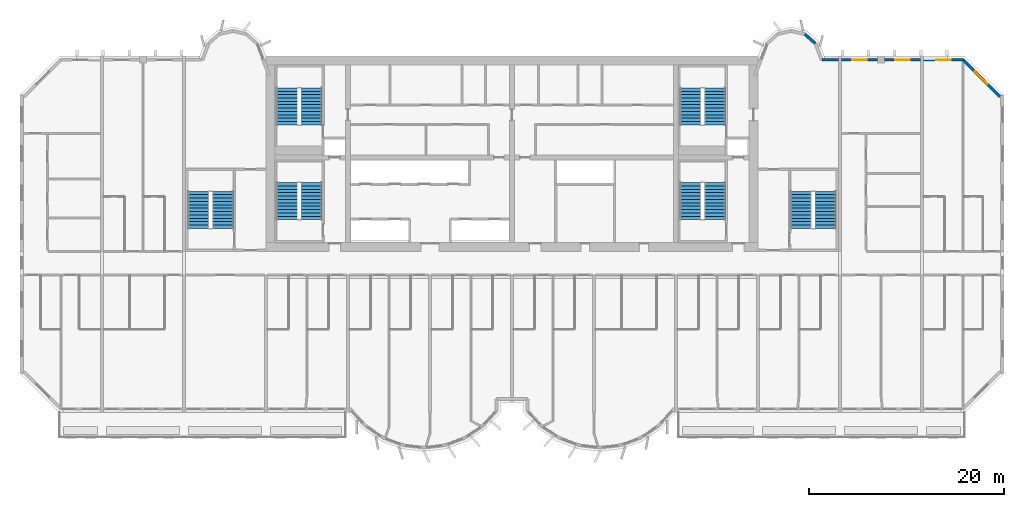
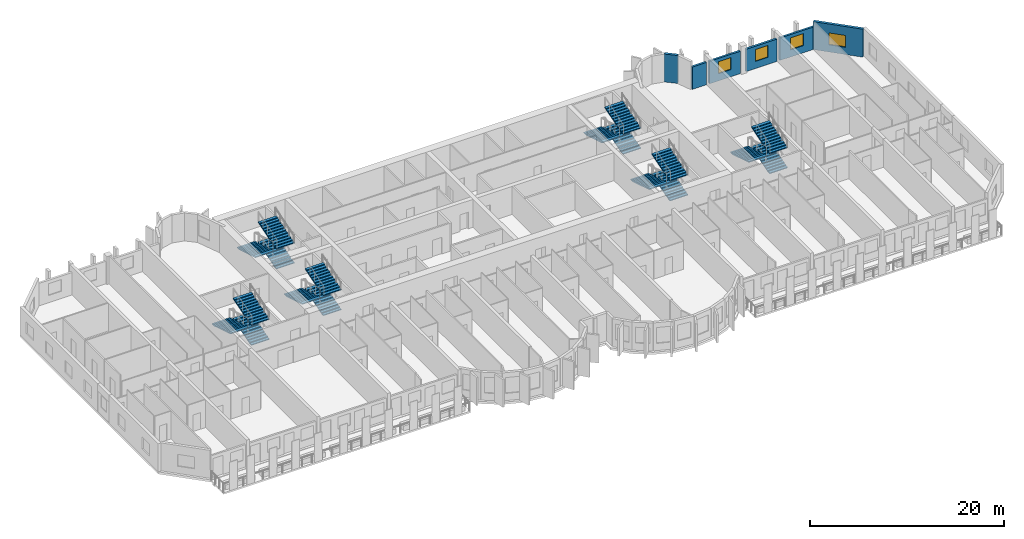
# One storey, part 11 of 14: 18 stair flights, 6 walls, 4 windows, 4 openings, 6 elements without a shape of their own.
"""IFC4 building model written with IfcOpenShell, lengths in metres."""

from ifc_helpers import new_model, si_unit, direction, frame, frame_2d, origin, place, context, subcontext, project, spatial, polyline, rectangle, outline, extrude, source, transform, mapped, material, layer, layer_set, type_object, element, fill, aggregate, save


model = new_model("IFC4")

# Units and contexts
model_context = context("Model", 3, precision=1e-05, world=origin(), true_north=direction((0.0, 1.0)))
body_context = subcontext(model_context, "Body", "Model", "MODEL_VIEW")
ifc_project = project(units=[si_unit("LENGTHUNIT", "METRE"), si_unit("AREAUNIT", "SQUARE_METRE"), si_unit("VOLUMEUNIT", "CUBIC_METRE"), si_unit("PLANEANGLEUNIT", "RADIAN"), si_unit("MASSUNIT", "GRAM", prefix="KILO")], contexts=[model_context])

# Site, building, storey
site_placement = place(None, origin())
site = spatial("IfcSite", under=ifc_project, at=site_placement, CompositionType="ELEMENT")
building_placement = place(site_placement, origin())
building = spatial("IfcBuilding", under=site, at=building_placement, Name="Vanashikhar Sky Hotel", CompositionType="ELEMENT")
storey_placement = place(building_placement, frame((0.0, 0.0, 99.0)))
storey = spatial("IfcBuildingStorey", under=building, at=storey_placement, Name="L23", CompositionType="ELEMENT", Elevation=99.0)

# Wall, opening, window
ifc_material_1 = material(Name="Concrete M50", Category="concrete")
ifc_layer_1 = layer(ifc_material_1, 0.300048828125)
ifc_layer_set_1 = layer_set([ifc_layer_1], Name="Lobe wall 300")
wall_type_1 = type_object("IfcWallType", Name="Lobe wall 300", PredefinedType="SOLIDWALL", material=ifc_layer_set_1)
shared_shape_1 = source(origin(), body_context, "Body", "SweptSolid", [
    extrude(rectangle(XDim=5.32568359375, YDim=0.300048828125, at=frame_2d((2.662841796875, 0.0))), origin(), (0.0, 0.0, 1.0), 3.52001953125),
])
wall_1_placement = place(storey_placement, frame((100.39990234375, 37.834228515625, 0.0), z_axis=(0.0, 0.0, 1.0), x_axis=(-0.707083859269, 0.707129702361, 0.0)))
wall_1 = element("IfcWall", 1, at=wall_1_placement, inside=storey, type_object=wall_type_1, Name="Corner wall", PredefinedType="SOLIDWALL", context=body_context, shape_type="MappedRepresentation", body=[
    mapped(shared_shape_1, transform((0.0, 0.0, 0.0), scale=1.0)),
])
shared_shape_2 = source(origin(), body_context, "Body", "SweptSolid", [
    extrude(rectangle(XDim=1.800048828125, YDim=1.5, at=frame_2d((0.89990234375, 0.75))), frame((0.0, 0.16015625, 0.0), z_axis=(0.0, -1.0, 0.0), x_axis=(1.0, 0.0, 0.0)), (0.0, 0.0, 1.0), 0.320068359375),
])
opening_1_placement = place(wall_1_placement, frame((1.853759765625, 0.0, 0.89990234375)))
opening_1 = element("IfcOpeningElement", 2, at=opening_1_placement, cuts=wall_1, Name="Opening WN-4", PredefinedType="OPENING", context=body_context, shape_type="MappedRepresentation", body=[
    mapped(shared_shape_2, transform((0.0, 0.0, 0.0), scale=1.0)),
])
ifc_material_2 = material(Name="Glass", Category="glass")
window_type_1 = type_object("IfcWindowType", Name="Corner window 1800 x 1500", PartitioningType="SINGLE_PANEL", PredefinedType="WINDOW", material=ifc_material_2)
shared_shape_3 = source(origin(), body_context, "Body", "SweptSolid", [
    extrude(rectangle(XDim=1.800048828125, YDim=1.5, at=frame_2d((0.89990234375, 0.75))), frame((0.0, 0.030029296875, 0.0), z_axis=(0.0, -1.0, 0.0), x_axis=(1.0, 0.0, 0.0)), (0.0, 0.0, 1.0), 0.06005859375),
])
window_1_placement = place(opening_1_placement, origin())
window_1 = element("IfcWindow", 3, at=window_1_placement, inside=storey, type_object=window_type_1, Name="Window WN-4", OverallHeight=1.5, OverallWidth=1.800048828125, PartitioningType="SINGLE_PANEL", PredefinedType="WINDOW", context=body_context, shape_type="MappedRepresentation", body=[
    mapped(shared_shape_3, transform((0.0, 0.0, 0.0), scale=1.0)),
])
fill(opening_1, window_1)

# Wall
shared_shape_4 = source(origin(), body_context, "Body", "SweptSolid", [
    extrude(rectangle(XDim=1.43994140625, YDim=0.300048828125, at=frame_2d((0.719970703125, 0.0))), origin(), (0.0, 0.0, 1.0), 3.52001953125),
])
wall_2_placement = place(storey_placement, frame((81.4765625, 43.2919921875, 0.0), z_axis=(0.0, 0.0, 1.0), x_axis=(-0.74957555648, 0.661918790432, 0.0)))
element("IfcWall", 4, at=wall_2_placement, inside=storey, type_object=wall_type_1, Name="Lobe wall", PredefinedType="SOLIDWALL", context=body_context, shape_type="MappedRepresentation", body=[
    mapped(shared_shape_4, transform((0.0, 0.0, 0.0), scale=1.0)),
])

# Wall, opening, window
ifc_layer_2 = layer(ifc_material_1, 0.25)
ifc_layer_set_2 = layer_set([ifc_layer_2], Name="Rear and end board-marked wall 250")
wall_type_2 = type_object("IfcWallType", Name="Rear and end board-marked wall 250", PredefinedType="SOLIDWALL", material=ifc_layer_set_2)
shared_shape_5 = source(origin(), body_context, "Body", "SweptSolid", [
    extrude(rectangle(XDim=4.06982421875, YDim=0.25, at=frame_2d((2.034912109375, 0.0))), origin(), (0.0, 0.0, 1.0), 2.820068359375),
])
wall_3_placement = place(storey_placement, frame((96.644775390625, 41.625, 0.0), z_axis=(0.0, 0.0, 1.0), x_axis=(-1.0, 0.0, 0.0)))
wall_3 = element("IfcWall", 5, at=wall_3_placement, inside=storey, type_object=wall_type_2, Name="Rear board-marked wall", PredefinedType="SOLIDWALL", context=body_context, shape_type="MappedRepresentation", body=[
    mapped(shared_shape_5, transform((0.0, 0.0, 0.0), scale=1.0)),
])
shared_shape_6 = source(origin(), body_context, "Body", "SweptSolid", [
    extrude(rectangle(XDim=1.5, YDim=1.5, at=frame_2d((0.75, 0.75))), frame((0.0, 0.135009765625, 0.0), z_axis=(0.0, -1.0, 0.0), x_axis=(1.0, 0.0, 0.0)), (0.0, 0.0, 1.0), 0.27001953125),
])
opening_2_placement = place(wall_3_placement, frame((1.284912109375, 0.0, 0.89990234375)))
opening_2 = element("IfcOpeningElement", 6, at=opening_2_placement, cuts=wall_3, Name="Opening WN-1", PredefinedType="OPENING", context=body_context, shape_type="MappedRepresentation", body=[
    mapped(shared_shape_6, transform((0.0, 0.0, 0.0), scale=1.0)),
])
window_type_2 = type_object("IfcWindowType", Name="Window 1500 x 1500", PartitioningType="SINGLE_PANEL", PredefinedType="WINDOW", material=ifc_material_2)
shared_shape_7 = source(origin(), body_context, "Body", "SweptSolid", [
    extrude(rectangle(XDim=1.5, YDim=1.5, at=frame_2d((0.75, 0.75))), frame((0.0, 0.030029296875, 0.0), z_axis=(0.0, -1.0, 0.0), x_axis=(1.0, 0.0, 0.0)), (0.0, 0.0, 1.0), 0.06005859375),
])
window_2_placement = place(opening_2_placement, origin())
window_2 = element("IfcWindow", 7, at=window_2_placement, inside=storey, type_object=window_type_2, Name="Window WN-1", OverallHeight=1.5, OverallWidth=1.5, PartitioningType="SINGLE_PANEL", PredefinedType="WINDOW", context=body_context, shape_type="MappedRepresentation", body=[
    mapped(shared_shape_7, transform((0.0, 0.0, 0.0), scale=1.0)),
])
fill(opening_2, window_2)

shared_shape_8 = source(origin(), body_context, "Body", "SweptSolid", [
    extrude(rectangle(XDim=3.675048828125, YDim=0.25, at=frame_2d((1.83740234375, 0.0))), origin(), (0.0, 0.0, 1.0), 2.820068359375),
])
wall_4_placement = place(storey_placement, frame((87.85009765625, 41.625, 0.0), z_axis=(0.0, 0.0, 1.0), x_axis=(-1.0, 0.0, 0.0)))
wall_4 = element("IfcWall", 8, at=wall_4_placement, inside=storey, type_object=wall_type_2, Name="Rear board-marked wall", PredefinedType="SOLIDWALL", context=body_context, shape_type="MappedRepresentation", body=[
    mapped(shared_shape_8, transform((0.0, 0.0, 0.0), scale=1.0)),
])
opening_3_placement = place(wall_4_placement, frame((1.08740234375, 0.0, 0.89990234375)))
opening_3 = element("IfcOpeningElement", 9, at=opening_3_placement, cuts=wall_4, Name="Opening WN-1", PredefinedType="OPENING", context=body_context, shape_type="MappedRepresentation", body=[
    mapped(shared_shape_6, transform((0.0, 0.0, 0.0), scale=1.0)),
])
window_3_placement = place(opening_3_placement, origin())
window_3 = element("IfcWindow", 10, at=window_3_placement, inside=storey, type_object=window_type_2, Name="Window WN-1", OverallHeight=1.5, OverallWidth=1.5, PartitioningType="SINGLE_PANEL", PredefinedType="WINDOW", context=body_context, shape_type="MappedRepresentation", body=[
    mapped(shared_shape_7, transform((0.0, 0.0, 0.0), scale=1.0)),
])
fill(opening_3, window_3)

wall_5_placement = place(storey_placement, frame((92.22509765625, 41.625, 0.0), z_axis=(0.0, 0.0, 1.0), x_axis=(-1.0, 0.0, 0.0)))
wall_5 = element("IfcWall", 11, at=wall_5_placement, inside=storey, type_object=wall_type_2, Name="Rear board-marked wall", PredefinedType="SOLIDWALL", context=body_context, shape_type="MappedRepresentation", body=[
    mapped(shared_shape_8, transform((0.0, 0.0, 0.0), scale=1.0)),
])
opening_4_placement = place(wall_5_placement, frame((1.08740234375, 0.0, 0.89990234375)))
opening_4 = element("IfcOpeningElement", 12, at=opening_4_placement, cuts=wall_5, Name="Opening WN-1", PredefinedType="OPENING", context=body_context, shape_type="MappedRepresentation", body=[
    mapped(shared_shape_6, transform((0.0, 0.0, 0.0), scale=1.0)),
])
window_4_placement = place(opening_4_placement, origin())
window_4 = element("IfcWindow", 13, at=window_4_placement, inside=storey, type_object=window_type_2, Name="Window WN-1", OverallHeight=1.5, OverallWidth=1.5, PartitioningType="SINGLE_PANEL", PredefinedType="WINDOW", context=body_context, shape_type="MappedRepresentation", body=[
    mapped(shared_shape_7, transform((0.0, 0.0, 0.0), scale=1.0)),
])
fill(opening_4, window_4)

# Wall
shared_shape_9 = source(origin(), body_context, "Body", "SweptSolid", [
    extrude(rectangle(XDim=1.682861328125, YDim=0.25, at=frame_2d((0.84130859375, 0.0))), origin(), (0.0, 0.0, 1.0), 2.820068359375),
])
wall_6_placement = place(storey_placement, frame((83.824951171875, 41.625, 0.0), z_axis=(0.0, 0.0, 1.0), x_axis=(-1.0, 0.0, 0.0)))
element("IfcWall", 14, at=wall_6_placement, inside=storey, type_object=wall_type_2, Name="Rear board-marked wall", PredefinedType="SOLIDWALL", context=body_context, shape_type="MappedRepresentation", body=[
    mapped(shared_shape_9, transform((0.0, 0.0, 0.0), scale=1.0)),
])

# Stair, stair flights
ifc_material_3 = material(Name="Concrete M40", Category="concrete")
stair_type = type_object("IfcStairType", Name="Exit stair 2150", PredefinedType="DOUBLE_RETURN_STAIR", material=ifc_material_3)
stair_1_placement = place(storey_placement, origin())
stair_1 = element("IfcStair", 15, at=stair_1_placement, inside=storey, type_object=stair_type, Name="L23 Exit stair 1", PredefinedType="DOUBLE_RETURN_STAIR")
stair_flight_type = type_object("IfcStairFlightType", Name="Stair flight 2150", PredefinedType="STRAIGHT", material=ifc_material_3)
shared_shape_10 = source(origin(), body_context, "Body", "SweptSolid", [
    extrude(outline(polyline([(0.0, 0.0), (0.0, 0.10546875), (0.345458984375, 0.10546875), (0.345458984375, 0.211181640625), (0.69091796875, 0.211181640625), (0.69091796875, 0.316650390625), (1.036376953125, 0.316650390625), (1.036376953125, 0.422119140625), (1.3818359375, 0.422119140625), (1.3818359375, 0.52783203125), (1.727294921875, 0.52783203125), (1.727294921875, 0.63330078125), (2.07275390625, 0.63330078125), (2.07275390625, 0.73876953125), (2.418212890625, 0.73876953125), (2.418212890625, 0.844482421875), (2.763671875, 0.844482421875), (2.763671875, 0.949951171875), (3.109130859375, 0.949951171875), (3.109130859375, 1.0556640625), (3.45458984375, 1.0556640625), (3.45458984375, 1.1611328125), (3.800048828125, 1.1611328125), (3.800048828125, 1.2666015625), (3.800048828125, 1.035400390625), (0.4111328125, 0.0), (0.0, 0.0)])), frame((0.0, 1.074951171875, 0.0), z_axis=(0.0, -1.0, 0.0), x_axis=(1.0, 0.0, 0.0)), (0.0, 0.0, 1.0), 2.14990234375),
])
stair_flight_1_placement = place(storey_placement, frame((29.875, 25.25, 0.0), z_axis=(0.0, 0.0, 1.0), x_axis=(0.0, 1.0, 0.0)))
stair_flight_1 = element("IfcStairFlight", 16, at=stair_flight_1_placement, type_object=stair_flight_type, Name="ST-C1 flight 1", NumberOfRisers=12, NumberOfTreads=11, PredefinedType="STRAIGHT", RiserHeight=0.105555556, TreadLength=0.345454545, context=body_context, shape_type="MappedRepresentation", body=[
    mapped(shared_shape_10, transform((0.0, 0.0, 0.0), scale=1.0)),
])
stair_flight_2_placement = place(storey_placement, frame((27.375, 29.050048828125, 1.2666015625), z_axis=(0.0, 0.0, 1.0), x_axis=(0.0, -1.0, 0.0)))
stair_flight_2 = element("IfcStairFlight", 17, at=stair_flight_2_placement, type_object=stair_flight_type, Name="ST-C1 flight 2", NumberOfRisers=12, NumberOfTreads=11, PredefinedType="STRAIGHT", RiserHeight=0.105555556, TreadLength=0.345454545, context=body_context, shape_type="MappedRepresentation", body=[
    mapped(shared_shape_10, transform((0.0, 0.0, 0.0), scale=1.0)),
])
stair_flight_3_placement = place(storey_placement, frame((29.875, 25.25, 2.533447265625), z_axis=(0.0, 0.0, 1.0), x_axis=(0.0, 1.0, 0.0)))
stair_flight_3 = element("IfcStairFlight", 18, at=stair_flight_3_placement, type_object=stair_flight_type, Name="ST-C1 flight 3", NumberOfRisers=12, NumberOfTreads=11, PredefinedType="STRAIGHT", RiserHeight=0.105555556, TreadLength=0.345454545, context=body_context, shape_type="MappedRepresentation", body=[
    mapped(shared_shape_10, transform((0.0, 0.0, 0.0), scale=1.0)),
])
aggregate(stair_1, [stair_flight_1, stair_flight_2, stair_flight_3])

stair_2_placement = place(storey_placement, origin())
stair_2 = element("IfcStair", 19, at=stair_2_placement, inside=storey, type_object=stair_type, Name="L23 Exit stair 2", PredefinedType="DOUBLE_RETURN_STAIR")
stair_flight_4_placement = place(storey_placement, frame((71.175048828125, 25.25, 0.0), z_axis=(0.0, 0.0, 1.0), x_axis=(0.0, 1.0, 0.0)))
stair_flight_4 = element("IfcStairFlight", 20, at=stair_flight_4_placement, type_object=stair_flight_type, Name="ST-C2 flight 1", NumberOfRisers=12, NumberOfTreads=11, PredefinedType="STRAIGHT", RiserHeight=0.105555556, TreadLength=0.345454545, context=body_context, shape_type="MappedRepresentation", body=[
    mapped(shared_shape_10, transform((0.0, 0.0, 0.0), scale=1.0)),
])
stair_flight_5_placement = place(storey_placement, frame((68.675048828125, 29.050048828125, 1.2666015625), z_axis=(0.0, 0.0, 1.0), x_axis=(0.0, -1.0, 0.0)))
stair_flight_5 = element("IfcStairFlight", 21, at=stair_flight_5_placement, type_object=stair_flight_type, Name="ST-C2 flight 2", NumberOfRisers=12, NumberOfTreads=11, PredefinedType="STRAIGHT", RiserHeight=0.105555556, TreadLength=0.345454545, context=body_context, shape_type="MappedRepresentation", body=[
    mapped(shared_shape_10, transform((0.0, 0.0, 0.0), scale=1.0)),
])
stair_flight_6_placement = place(storey_placement, frame((71.175048828125, 25.25, 2.533447265625), z_axis=(0.0, 0.0, 1.0), x_axis=(0.0, 1.0, 0.0)))
stair_flight_6 = element("IfcStairFlight", 22, at=stair_flight_6_placement, type_object=stair_flight_type, Name="ST-C2 flight 3", NumberOfRisers=12, NumberOfTreads=11, PredefinedType="STRAIGHT", RiserHeight=0.105555556, TreadLength=0.345454545, context=body_context, shape_type="MappedRepresentation", body=[
    mapped(shared_shape_10, transform((0.0, 0.0, 0.0), scale=1.0)),
])
aggregate(stair_2, [stair_flight_4, stair_flight_5, stair_flight_6])

stair_3_placement = place(storey_placement, origin())
stair_3 = element("IfcStair", 23, at=stair_3_placement, inside=storey, type_object=stair_type, Name="L23 Exit stair 3", PredefinedType="DOUBLE_RETURN_STAIR")
stair_flight_7_placement = place(storey_placement, frame((20.77490234375, 24.35009765625, 0.0), z_axis=(0.0, 0.0, 1.0), x_axis=(0.0, 1.0, 0.0)))
stair_flight_7 = element("IfcStairFlight", 24, at=stair_flight_7_placement, type_object=stair_flight_type, Name="ST-W flight 1", NumberOfRisers=12, NumberOfTreads=11, PredefinedType="STRAIGHT", RiserHeight=0.105555556, TreadLength=0.345454545, context=body_context, shape_type="MappedRepresentation", body=[
    mapped(shared_shape_10, transform((0.0, 0.0, 0.0), scale=1.0)),
])
stair_flight_8_placement = place(storey_placement, frame((18.27490234375, 28.14990234375, 1.2666015625), z_axis=(0.0, 0.0, 1.0), x_axis=(0.0, -1.0, 0.0)))
stair_flight_8 = element("IfcStairFlight", 25, at=stair_flight_8_placement, type_object=stair_flight_type, Name="ST-W flight 2", NumberOfRisers=12, NumberOfTreads=11, PredefinedType="STRAIGHT", RiserHeight=0.105555556, TreadLength=0.345454545, context=body_context, shape_type="MappedRepresentation", body=[
    mapped(shared_shape_10, transform((0.0, 0.0, 0.0), scale=1.0)),
])
stair_flight_9_placement = place(storey_placement, frame((20.77490234375, 24.35009765625, 2.533447265625), z_axis=(0.0, 0.0, 1.0), x_axis=(0.0, 1.0, 0.0)))
stair_flight_9 = element("IfcStairFlight", 26, at=stair_flight_9_placement, type_object=stair_flight_type, Name="ST-W flight 3", NumberOfRisers=12, NumberOfTreads=11, PredefinedType="STRAIGHT", RiserHeight=0.105555556, TreadLength=0.345454545, context=body_context, shape_type="MappedRepresentation", body=[
    mapped(shared_shape_10, transform((0.0, 0.0, 0.0), scale=1.0)),
])
aggregate(stair_3, [stair_flight_7, stair_flight_8, stair_flight_9])

stair_4_placement = place(storey_placement, origin())
stair_4 = element("IfcStair", 27, at=stair_4_placement, inside=storey, type_object=stair_type, Name="L23 Exit stair 4", PredefinedType="DOUBLE_RETURN_STAIR")
stair_flight_10_placement = place(storey_placement, frame((82.52490234375, 24.35009765625, 0.0), z_axis=(0.0, 0.0, 1.0), x_axis=(0.0, 1.0, 0.0)))
stair_flight_10 = element("IfcStairFlight", 28, at=stair_flight_10_placement, type_object=stair_flight_type, Name="ST-E flight 1", NumberOfRisers=12, NumberOfTreads=11, PredefinedType="STRAIGHT", RiserHeight=0.105555556, TreadLength=0.345454545, context=body_context, shape_type="MappedRepresentation", body=[
    mapped(shared_shape_10, transform((0.0, 0.0, 0.0), scale=1.0)),
])
stair_flight_11_placement = place(storey_placement, frame((80.02490234375, 28.14990234375, 1.2666015625), z_axis=(0.0, 0.0, 1.0), x_axis=(0.0, -1.0, 0.0)))
stair_flight_11 = element("IfcStairFlight", 29, at=stair_flight_11_placement, type_object=stair_flight_type, Name="ST-E flight 2", NumberOfRisers=12, NumberOfTreads=11, PredefinedType="STRAIGHT", RiserHeight=0.105555556, TreadLength=0.345454545, context=body_context, shape_type="MappedRepresentation", body=[
    mapped(shared_shape_10, transform((0.0, 0.0, 0.0), scale=1.0)),
])
stair_flight_12_placement = place(storey_placement, frame((82.52490234375, 24.35009765625, 2.533447265625), z_axis=(0.0, 0.0, 1.0), x_axis=(0.0, 1.0, 0.0)))
stair_flight_12 = element("IfcStairFlight", 30, at=stair_flight_12_placement, type_object=stair_flight_type, Name="ST-E flight 3", NumberOfRisers=12, NumberOfTreads=11, PredefinedType="STRAIGHT", RiserHeight=0.105555556, TreadLength=0.345454545, context=body_context, shape_type="MappedRepresentation", body=[
    mapped(shared_shape_10, transform((0.0, 0.0, 0.0), scale=1.0)),
])
aggregate(stair_4, [stair_flight_10, stair_flight_11, stair_flight_12])

stair_5_placement = place(storey_placement, origin())
stair_5 = element("IfcStair", 31, at=stair_5_placement, inside=storey, type_object=stair_type, Name="L23 Exit stair 5", PredefinedType="DOUBLE_RETURN_STAIR")
stair_flight_13_placement = place(storey_placement, frame((29.875, 34.949951171875, 0.0), z_axis=(0.0, 0.0, 1.0), x_axis=(0.0, 1.0, 0.0)))
stair_flight_13 = element("IfcStairFlight", 32, at=stair_flight_13_placement, type_object=stair_flight_type, Name="ST-C3 flight 1", NumberOfRisers=12, NumberOfTreads=11, PredefinedType="STRAIGHT", RiserHeight=0.105555556, TreadLength=0.345454545, context=body_context, shape_type="MappedRepresentation", body=[
    mapped(shared_shape_10, transform((0.0, 0.0, 0.0), scale=1.0)),
])
stair_flight_14_placement = place(storey_placement, frame((27.375, 38.75, 1.2666015625), z_axis=(0.0, 0.0, 1.0), x_axis=(0.0, -1.0, 0.0)))
stair_flight_14 = element("IfcStairFlight", 33, at=stair_flight_14_placement, type_object=stair_flight_type, Name="ST-C3 flight 2", NumberOfRisers=12, NumberOfTreads=11, PredefinedType="STRAIGHT", RiserHeight=0.105555556, TreadLength=0.345454545, context=body_context, shape_type="MappedRepresentation", body=[
    mapped(shared_shape_10, transform((0.0, 0.0, 0.0), scale=1.0)),
])
stair_flight_15_placement = place(storey_placement, frame((29.875, 34.949951171875, 2.533447265625), z_axis=(0.0, 0.0, 1.0), x_axis=(0.0, 1.0, 0.0)))
stair_flight_15 = element("IfcStairFlight", 34, at=stair_flight_15_placement, type_object=stair_flight_type, Name="ST-C3 flight 3", NumberOfRisers=12, NumberOfTreads=11, PredefinedType="STRAIGHT", RiserHeight=0.105555556, TreadLength=0.345454545, context=body_context, shape_type="MappedRepresentation", body=[
    mapped(shared_shape_10, transform((0.0, 0.0, 0.0), scale=1.0)),
])
aggregate(stair_5, [stair_flight_13, stair_flight_14, stair_flight_15])

stair_6_placement = place(storey_placement, origin())
stair_6 = element("IfcStair", 35, at=stair_6_placement, inside=storey, type_object=stair_type, Name="L23 Exit stair 6", PredefinedType="DOUBLE_RETURN_STAIR")
stair_flight_16_placement = place(storey_placement, frame((71.175048828125, 34.949951171875, 0.0), z_axis=(0.0, 0.0, 1.0), x_axis=(0.0, 1.0, 0.0)))
stair_flight_16 = element("IfcStairFlight", 36, at=stair_flight_16_placement, type_object=stair_flight_type, Name="ST-C4 flight 1", NumberOfRisers=12, NumberOfTreads=11, PredefinedType="STRAIGHT", RiserHeight=0.105555556, TreadLength=0.345454545, context=body_context, shape_type="MappedRepresentation", body=[
    mapped(shared_shape_10, transform((0.0, 0.0, 0.0), scale=1.0)),
])
stair_flight_17_placement = place(storey_placement, frame((68.675048828125, 38.75, 1.2666015625), z_axis=(0.0, 0.0, 1.0), x_axis=(0.0, -1.0, 0.0)))
stair_flight_17 = element("IfcStairFlight", 37, at=stair_flight_17_placement, type_object=stair_flight_type, Name="ST-C4 flight 2", NumberOfRisers=12, NumberOfTreads=11, PredefinedType="STRAIGHT", RiserHeight=0.105555556, TreadLength=0.345454545, context=body_context, shape_type="MappedRepresentation", body=[
    mapped(shared_shape_10, transform((0.0, 0.0, 0.0), scale=1.0)),
])
stair_flight_18_placement = place(storey_placement, frame((71.175048828125, 34.949951171875, 2.533447265625), z_axis=(0.0, 0.0, 1.0), x_axis=(0.0, 1.0, 0.0)))
stair_flight_18 = element("IfcStairFlight", 38, at=stair_flight_18_placement, type_object=stair_flight_type, Name="ST-C4 flight 3", NumberOfRisers=12, NumberOfTreads=11, PredefinedType="STRAIGHT", RiserHeight=0.105555556, TreadLength=0.345454545, context=body_context, shape_type="MappedRepresentation", body=[
    mapped(shared_shape_10, transform((0.0, 0.0, 0.0), scale=1.0)),
])
aggregate(stair_6, [stair_flight_16, stair_flight_17, stair_flight_18])

save(model, "model.ifc")
